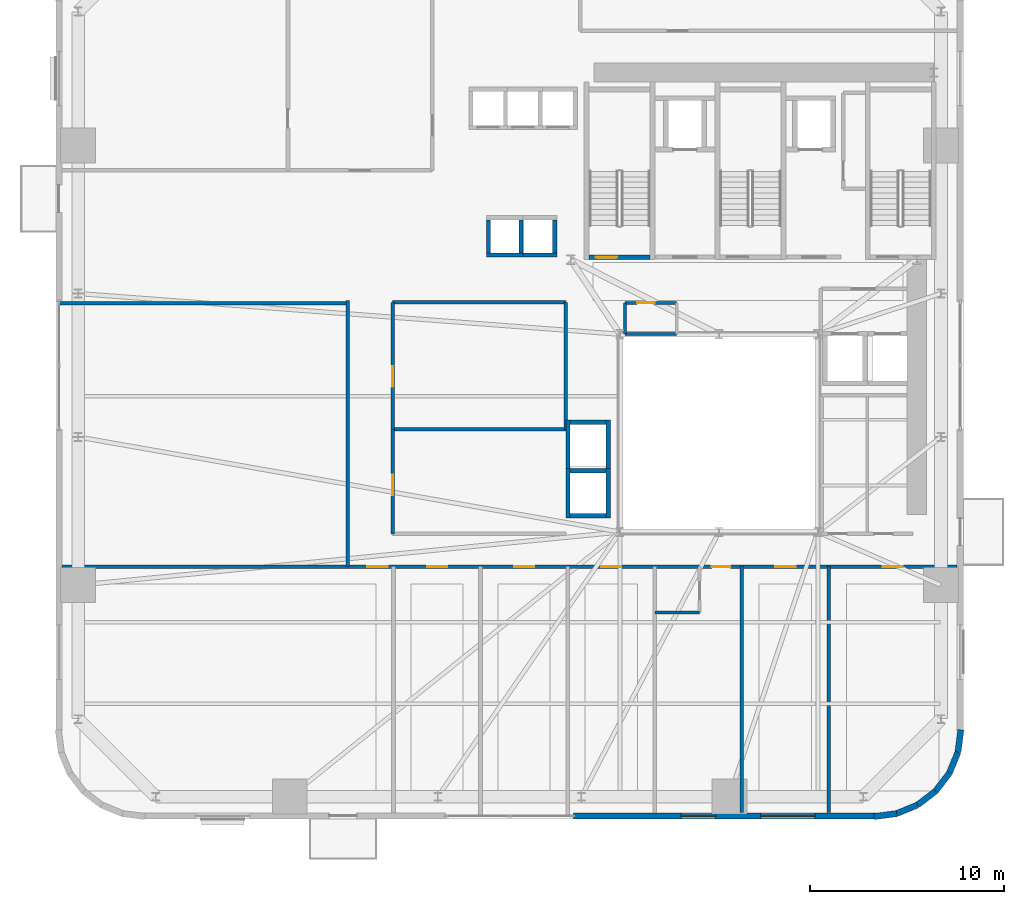
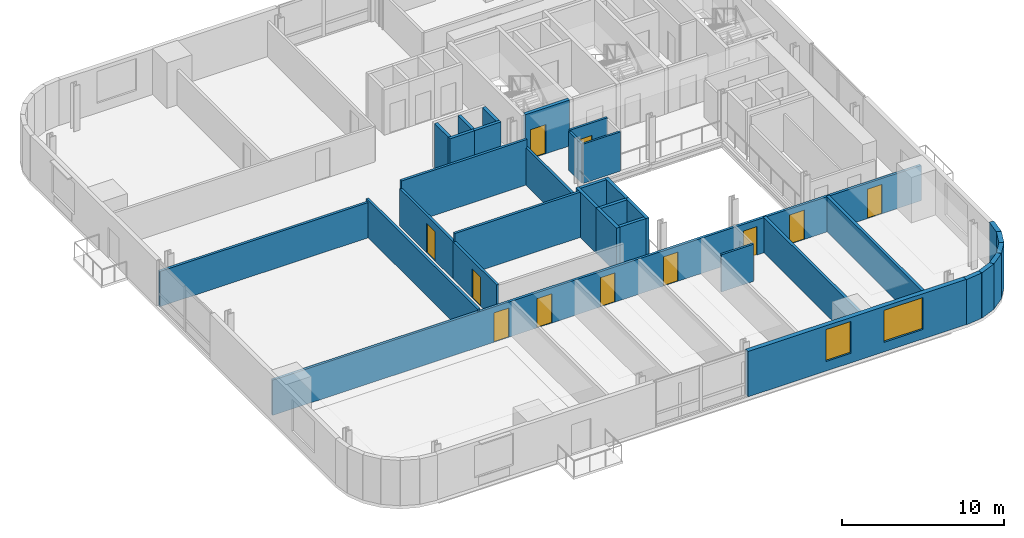
# One storey, part 6 of 13: 34 walls, 11 doors, 2 windows, 13 openings.
"""IFC4 building model written with IfcOpenShell, lengths in metres."""

from ifc_helpers import new_model, si_unit, direction, frame, frame_2d, origin, place, context, subcontext, project, spatial, rectangle, extrude, source, transform, mapped, material, layer, layer_set, type_object, element, fill, save


model = new_model("IFC4")

# Units and contexts
model_context = context("Model", 3, precision=1e-05, world=origin(), true_north=direction((0.0, 1.0)))
body_context = subcontext(model_context, "Body", "Model", "MODEL_VIEW")
ifc_project = project(units=[si_unit("LENGTHUNIT", "METRE"), si_unit("AREAUNIT", "SQUARE_METRE"), si_unit("VOLUMEUNIT", "CUBIC_METRE"), si_unit("PLANEANGLEUNIT", "RADIAN"), si_unit("MASSUNIT", "GRAM", prefix="KILO")], contexts=[model_context])

# Site, building, storey
site_placement = place(None, origin())
site = spatial("IfcSite", under=ifc_project, at=site_placement, CompositionType="ELEMENT")
building_placement = place(site_placement, origin())
building = spatial("IfcBuilding", under=site, at=building_placement, Name="Vardaveli Station Tower", CompositionType="ELEMENT")
storey_placement = place(building_placement, frame((0.0, 0.0, 86.0)))
storey = spatial("IfcBuildingStorey", under=building, at=storey_placement, Name="L22", CompositionType="ELEMENT", Elevation=86.0)

# Wall, openings, windows
ifc_material_1 = material(Name="Precast concrete C45/55", Category="concrete")
ifc_layer_1 = layer(ifc_material_1, 0.320068359375, Name="Precast concrete C45/55")
ifc_layer_set_1 = layer_set([ifc_layer_1], Name="Precast concrete C45/55")
wall_type_1 = type_object("IfcWallType", Name="WAL-EXT-STONE-320", PredefinedType="SOLIDWALL", material=ifc_layer_set_1)
shared_shape_1 = source(origin(), body_context, "Body", "SweptSolid", [
    extrude(rectangle(XDim=15.599853515625, YDim=0.320068359375, at=frame_2d((7.7998046875, 0.0))), origin(), (0.0, 0.0, 1.0), 3.409912109375),
])
wall_1_placement = place(storey_placement, frame((28.800048828125, 1.9599609375, 0.0), z_axis=(0.0, 0.0, 1.0), x_axis=(1.0, 0.0, 0.0)))
wall_1 = element("IfcWall", 1, at=wall_1_placement, inside=storey, type_object=wall_type_1, Name="EW-L22-S2", PredefinedType="SOLIDWALL", context=body_context, shape_type="MappedRepresentation", body=[
    mapped(shared_shape_1, transform((0.0, 0.0, 0.0), scale=1.0)),
])
shared_shape_2 = source(origin(), body_context, "Body", "SweptSolid", [
    extrude(rectangle(XDim=2.800048828125, YDim=2.39990234375, at=frame_2d((1.39990234375, 1.199951171875))), frame((0.0, 0.169921875, 0.0), z_axis=(0.0, -1.0, 0.0), x_axis=(1.0, 0.0, 0.0)), (0.0, 0.0, 1.0), 0.340087890625),
])
opening_1_placement = place(wall_1_placement, frame((9.64501953125, 0.0, 0.719970703125)))
opening_1 = element("IfcOpeningElement", 2, at=opening_1_placement, cuts=wall_1, Name="Opening W-04", PredefinedType="OPENING", context=body_context, shape_type="MappedRepresentation", body=[
    mapped(shared_shape_2, transform((0.0, 0.0, 0.0), scale=1.0)),
])
shared_shape_3 = source(origin(), body_context, "Body", "SweptSolid", [
    extrude(rectangle(XDim=1.800048828125, YDim=2.39990234375, at=frame_2d((0.89990234375, 1.199951171875))), frame((0.0, 0.169921875, 0.0), z_axis=(0.0, -1.0, 0.0), x_axis=(1.0, 0.0, 0.0)), (0.0, 0.0, 1.0), 0.340087890625),
])
opening_2_placement = place(wall_1_placement, frame((5.531005859375, 0.0, 0.719970703125)))
opening_2 = element("IfcOpeningElement", 3, at=opening_2_placement, cuts=wall_1, Name="Opening W-05", PredefinedType="OPENING", context=body_context, shape_type="MappedRepresentation", body=[
    mapped(shared_shape_3, transform((0.0, 0.0, 0.0), scale=1.0)),
])
ifc_material_2 = material(Name="Low-E solar-control glass", Category="glass")
window_type_1 = type_object("IfcWindowType", Name="WIN-SUITE-2800x2400", PartitioningType="SINGLE_PANEL", PredefinedType="WINDOW", material=ifc_material_2)
shared_shape_4 = source(origin(), body_context, "Body", "SweptSolid", [
    extrude(rectangle(XDim=2.800048828125, YDim=2.39990234375, at=frame_2d((1.39990234375, 1.199951171875))), frame((0.0, 0.030029296875, 0.0), z_axis=(0.0, -1.0, 0.0), x_axis=(1.0, 0.0, 0.0)), (0.0, 0.0, 1.0), 0.06005859375),
])
window_1_placement = place(opening_1_placement, origin())
window_1 = element("IfcWindow", 4, at=window_1_placement, inside=storey, type_object=window_type_1, Name="WN-L22-S2", OverallHeight=2.39990234375, OverallWidth=2.800048828125, PartitioningType="SINGLE_PANEL", PredefinedType="WINDOW", context=body_context, shape_type="MappedRepresentation", body=[
    mapped(shared_shape_4, transform((0.0, 0.0, 0.0), scale=1.0)),
])
fill(opening_1, window_1)
window_type_2 = type_object("IfcWindowType", Name="WIN-HIGH-1800x2400", PartitioningType="SINGLE_PANEL", PredefinedType="WINDOW", material=ifc_material_2)
shared_shape_5 = source(origin(), body_context, "Body", "SweptSolid", [
    extrude(rectangle(XDim=1.800048828125, YDim=2.39990234375, at=frame_2d((0.89990234375, 1.199951171875))), frame((0.0, 0.030029296875, 0.0), z_axis=(0.0, -1.0, 0.0), x_axis=(1.0, 0.0, 0.0)), (0.0, 0.0, 1.0), 0.06005859375),
])
window_2_placement = place(opening_2_placement, origin())
window_2 = element("IfcWindow", 5, at=window_2_placement, inside=storey, type_object=window_type_2, Name="WN-L22-GW1", OverallHeight=2.39990234375, OverallWidth=1.800048828125, PartitioningType="SINGLE_PANEL", PredefinedType="WINDOW", context=body_context, shape_type="MappedRepresentation", body=[
    mapped(shared_shape_5, transform((0.0, 0.0, 0.0), scale=1.0)),
])
fill(opening_2, window_2)

# Walls
shared_shape_6 = source(origin(), body_context, "Body", "SweptSolid", [
    extrude(rectangle(XDim=1.170654296875, YDim=0.320068359375, at=frame_2d((0.58544921875, 0.0))), origin(), (0.0, 0.0, 1.0), 3.409912109375),
])
wall_2_placement = place(storey_placement, frame((48.62548828125, 5.23974609375, 0.0), z_axis=(0.0, 0.0, 1.0), x_axis=(0.128269133229, 0.991739395941, 0.0)))
element("IfcWall", 6, at=wall_2_placement, inside=storey, type_object=wall_type_1, Name="EW-L22-CR2-6", PredefinedType="SOLIDWALL", context=body_context, shape_type="MappedRepresentation", body=[
    mapped(shared_shape_6, transform((0.0, 0.0, 0.0), scale=1.0)),
])
shared_shape_7 = source(origin(), body_context, "Body", "SweptSolid", [
    extrude(rectangle(XDim=1.1689453125, YDim=0.320068359375, at=frame_2d((0.58447265625, 0.0))), origin(), (0.0, 0.0, 1.0), 3.409912109375),
])
for number, where, z_axis, x_axis, name in (
    (7, (47.46875, 3.231201171875, 0.0), (0.0, 0.0, 1.0), (0.608387696831, 0.793639975269, 0.0), "EW-L22-CR2-4"),
    (8, (48.179931640625, 4.158935546875, 0.0), (0.0, 0.0, 1.0), (0.381127904695, 0.924522320046, 0.0), "EW-L22-CR2-5"),
):
    element("IfcWall", number, at=place(storey_placement, frame(where, z_axis=z_axis, x_axis=x_axis)), inside=storey, type_object=wall_type_1, Name=name, PredefinedType="SOLIDWALL", context=body_context, shape_type="MappedRepresentation", body=[
        mapped(shared_shape_7, transform((0.0, 0.0, 0.0), scale=1.0)),
    ])
shared_shape_8 = source(origin(), body_context, "Body", "SweptSolid", [
    extrude(rectangle(XDim=1.168701171875, YDim=0.320068359375, at=frame_2d((0.58447265625, 0.0))), origin(), (0.0, 0.0, 1.0), 3.409912109375),
])
wall_3_placement = place(storey_placement, frame((46.541259765625, 2.520263671875, 0.0), z_axis=(0.0, 0.0, 1.0), x_axis=(0.793663520347, 0.608356981114, 0.0)))
element("IfcWall", 9, at=wall_3_placement, inside=storey, type_object=wall_type_1, Name="EW-L22-CR2-3", PredefinedType="SOLIDWALL", context=body_context, shape_type="MappedRepresentation", body=[
    mapped(shared_shape_8, transform((0.0, 0.0, 0.0), scale=1.0)),
])
shared_shape_9 = source(origin(), body_context, "Body", "SweptSolid", [
    extrude(rectangle(XDim=1.16943359375, YDim=0.320068359375, at=frame_2d((0.584716796875, 0.0))), origin(), (0.0, 0.0, 1.0), 3.409912109375),
])
wall_4_placement = place(storey_placement, frame((45.460205078125, 2.074462890625, 0.0), z_axis=(0.0, 0.0, 1.0), x_axis=(0.924479075121, 0.381232789334, 0.0)))
element("IfcWall", 10, at=wall_4_placement, inside=storey, type_object=wall_type_1, Name="EW-L22-CR2-2", PredefinedType="SOLIDWALL", context=body_context, shape_type="MappedRepresentation", body=[
    mapped(shared_shape_9, transform((0.0, 0.0, 0.0), scale=1.0)),
])
shared_shape_10 = source(origin(), body_context, "Body", "SweptSolid", [
    extrude(rectangle(XDim=1.170166015625, YDim=0.320068359375, at=frame_2d((0.5849609375, 0.0))), origin(), (0.0, 0.0, 1.0), 3.409912109375),
])
wall_5_placement = place(storey_placement, frame((44.299560546875, 1.924560546875, 0.0), z_axis=(0.0, 0.0, 1.0), x_axis=(0.991762485493, 0.128090485085, 0.0)))
element("IfcWall", 11, at=wall_5_placement, inside=storey, type_object=wall_type_1, Name="EW-L22-CR2-1", PredefinedType="SOLIDWALL", context=body_context, shape_type="MappedRepresentation", body=[
    mapped(shared_shape_10, transform((0.0, 0.0, 0.0), scale=1.0)),
])

# Wall, opening, door
ifc_material_3 = material(Name="Concrete C40/50", Category="concrete")
ifc_layer_2 = layer(ifc_material_3, 0.25, Name="Concrete C40/50")
ifc_layer_set_2 = layer_set([ifc_layer_2], Name="Concrete C40/50")
wall_type_2 = type_object("IfcWallType", Name="WAL-SHAFT-250", PredefinedType="SOLIDWALL", material=ifc_layer_set_2)
shared_shape_11 = source(origin(), body_context, "Body", "SweptSolid", [
    extrude(rectangle(XDim=3.14990234375, YDim=0.25, at=frame_2d((1.574951171875, 0.0))), origin(), (0.0, 0.0, 1.0), 3.449951171875),
])
wall_6_placement = place(storey_placement, frame((29.60009765625, 30.77490234375, 0.0), z_axis=(0.0, 0.0, 1.0), x_axis=(1.0, 0.0, 0.0)))
wall_6 = element("IfcWall", 12, at=wall_6_placement, inside=storey, type_object=wall_type_2, Name="W-L22-ST-1S", PredefinedType="SOLIDWALL", context=body_context, shape_type="MappedRepresentation", body=[
    mapped(shared_shape_11, transform((0.0, 0.0, 0.0), scale=1.0)),
])
shared_shape_12 = source(origin(), body_context, "Body", "SweptSolid", [
    extrude(rectangle(XDim=1.10009765625, YDim=2.199951171875, at=frame_2d((0.550048828125, 1.10009765625))), frame((0.0, 0.135009765625, 0.0), z_axis=(0.0, -1.0, 0.0), x_axis=(1.0, 0.0, 0.0)), (0.0, 0.0, 1.0), 0.27001953125),
])
opening_3_placement = place(wall_6_placement, frame((0.35009765625, 0.0, 0.0)))
opening_3 = element("IfcOpeningElement", 13, at=opening_3_placement, cuts=wall_6, Name="Opening D-04", PredefinedType="OPENING", context=body_context, shape_type="MappedRepresentation", body=[
    mapped(shared_shape_12, transform((0.0, 0.0, 0.0), scale=1.0)),
])
ifc_material_4 = material(Name="Steel smokeproof fire doorset", Category="steel")
door_type_1 = type_object("IfcDoorType", Name="DR-ST-1100x2200", OperationType="NOTDEFINED", PredefinedType="DOOR", material=ifc_material_4)
shared_shape_13 = source(origin(), body_context, "Body", "SweptSolid", [
    extrude(rectangle(XDim=1.10009765625, YDim=2.199951171875, at=frame_2d((0.550048828125, 1.10009765625))), frame((0.0, 0.02490234375, 0.0), z_axis=(0.0, -1.0, 0.0), x_axis=(1.0, 0.0, 0.0)), (0.0, 0.0, 1.0), 0.050048828125),
])
door_1_placement = place(opening_3_placement, origin())
door_1 = element("IfcDoor", 14, at=door_1_placement, inside=storey, type_object=door_type_1, Name="DST-1-L22", OperationType="SINGLE_SWING_LEFT", OverallHeight=2.199951171875, OverallWidth=1.10009765625, PredefinedType="DOOR", context=body_context, shape_type="MappedRepresentation", body=[
    mapped(shared_shape_13, transform((0.0, 0.0, 0.0), scale=1.0)),
])
fill(opening_3, door_1)

# Walls
ifc_layer_3 = layer(ifc_material_3, 0.219970703125, Name="Concrete C40/50")
ifc_layer_set_3 = layer_set([ifc_layer_3], Name="Concrete C40/50")
wall_type_3 = type_object("IfcWallType", Name="WAL-FFLOBBY-220", PredefinedType="SOLIDWALL", material=ifc_layer_set_3)
shared_shape_14 = source(origin(), body_context, "Body", "SweptSolid", [
    extrude(rectangle(XDim=1.89013671875, YDim=0.219970703125, at=frame_2d((0.945068359375, 0.0))), origin(), (0.0, 0.0, 1.0), 3.409912109375),
])
for number, where, z_axis, x_axis, name in (
    (15, (24.304931640625, 30.889892578125, 0.0), (0.0, 0.0, 1.0), (1.0, 0.0, 0.0), "SHW-SHU-01-L22-S"),
    (16, (26.054931640625, 30.889892578125, 0.0), (0.0, 0.0, 1.0), (1.0, 0.0, 0.0), "SHW-SHU-02-L22-S"),
):
    element("IfcWall", number, at=place(storey_placement, frame(where, z_axis=z_axis, x_axis=x_axis)), inside=storey, type_object=wall_type_3, Name=name, PredefinedType="SOLIDWALL", context=body_context, shape_type="MappedRepresentation", body=[
        mapped(shared_shape_14, transform((0.0, 0.0, 0.0), scale=1.0)),
    ])
shared_shape_15 = source(origin(), body_context, "Body", "SweptSolid", [
    extrude(rectangle(XDim=1.699951171875, YDim=0.219970703125, at=frame_2d((0.85009765625, 0.0))), origin(), (0.0, 0.0, 1.0), 3.409912109375),
])
for number, where, z_axis, x_axis, name in (
    (17, (24.4150390625, 31.0, 0.0), (0.0, 0.0, 1.0), (0.0, 1.0, 0.0), "SHW-SHU-01-L22-W"),
    (18, (26.0849609375, 31.0, 0.0), (0.0, 0.0, 1.0), (0.0, 1.0, 0.0), "SHW-SHU-01-L22-E"),
    (19, (27.8349609375, 31.0, 0.0), (0.0, 0.0, 1.0), (0.0, 1.0, 0.0), "SHW-SHU-02-L22-E"),
):
    element("IfcWall", number, at=place(storey_placement, frame(where, z_axis=z_axis, x_axis=x_axis)), inside=storey, type_object=wall_type_3, Name=name, PredefinedType="SOLIDWALL", context=body_context, shape_type="MappedRepresentation", body=[
        mapped(shared_shape_15, transform((0.0, 0.0, 0.0), scale=1.0)),
    ])
shared_shape_16 = source(origin(), body_context, "Body", "SweptSolid", [
    extrude(rectangle(XDim=1.85009765625, YDim=0.219970703125, at=frame_2d((0.925048828125, 0.0))), origin(), (0.0, 0.0, 1.0), 3.409912109375),
])
for number, where, z_axis, x_axis, name in (
    (20, (28.625, 17.43994140625, 0.0), (0.0, 0.0, 1.0), (1.0, 0.0, 0.0), "SHW-OBS-01-L22-S"),
    (21, (28.625, 19.760009765625, 0.0), (0.0, 0.0, 1.0), (1.0, 0.0, 0.0), "SHW-OBS-01-L22-N"),
    (22, (28.625, 22.260009765625, 0.0), (0.0, 0.0, 1.0), (1.0, 0.0, 0.0), "SHW-OBS-02-L22-N"),
):
    element("IfcWall", number, at=place(storey_placement, frame(where, z_axis=z_axis, x_axis=x_axis)), inside=storey, type_object=wall_type_3, Name=name, PredefinedType="SOLIDWALL", context=body_context, shape_type="MappedRepresentation", body=[
        mapped(shared_shape_16, transform((0.0, 0.0, 0.0), scale=1.0)),
    ])
shared_shape_17 = source(origin(), body_context, "Body", "SweptSolid", [
    extrude(rectangle(XDim=2.5400390625, YDim=0.219970703125, at=frame_2d((1.27001953125, 0.0))), origin(), (0.0, 0.0, 1.0), 3.409912109375),
])
for number, where, z_axis, x_axis, name in (
    (23, (28.514892578125, 17.330078125, 0.0), (0.0, 0.0, 1.0), (0.0, 1.0, 0.0), "SHW-OBS-01-L22-W"),
    (24, (30.5849609375, 17.330078125, 0.0), (0.0, 0.0, 1.0), (0.0, 1.0, 0.0), "SHW-OBS-01-L22-E"),
    (25, (28.514892578125, 19.830078125, 0.0), (0.0, 0.0, 1.0), (0.0, 1.0, 0.0), "SHW-OBS-02-L22-W"),
    (26, (30.5849609375, 19.830078125, 0.0), (0.0, 0.0, 1.0), (0.0, 1.0, 0.0), "SHW-OBS-02-L22-E"),
):
    element("IfcWall", number, at=place(storey_placement, frame(where, z_axis=z_axis, x_axis=x_axis)), inside=storey, type_object=wall_type_3, Name=name, PredefinedType="SOLIDWALL", context=body_context, shape_type="MappedRepresentation", body=[
        mapped(shared_shape_17, transform((0.0, 0.0, 0.0), scale=1.0)),
    ])
ifc_material_5 = material(Name="Moisture-resistant stud partition")
ifc_layer_4 = layer(ifc_material_5, 0.14990234375, Name="Moisture-resistant stud partition")
ifc_layer_set_4 = layer_set([ifc_layer_4], Name="Moisture-resistant stud partition")
wall_type_4 = type_object("IfcWallType", Name="WAL-WET-150", PredefinedType="PARTITIONING", material=ifc_layer_set_4)
shared_shape_18 = source(origin(), body_context, "Body", "SweptSolid", [
    extrude(rectangle(XDim=2.2900390625, YDim=0.14990234375, at=frame_2d((1.14501953125, 0.0))), origin(), (0.0, 0.0, 1.0), 2.802001953125),
])
wall_7_placement = place(storey_placement, frame((33.007080078125, 12.449951171875, 0.0), z_axis=(0.0, 0.0, 1.0), x_axis=(1.0, 0.0, 0.0)))
element("IfcWall", 27, at=wall_7_placement, inside=storey, type_object=wall_type_4, Name="W-L22-BS5-S", PredefinedType="PARTITIONING", context=body_context, shape_type="MappedRepresentation", body=[
    mapped(shared_shape_18, transform((0.0, 0.0, 0.0), scale=1.0)),
])

# Wall, openings, doors
ifc_material_6 = material(Name="Fire-rated gypsum stud partition")
ifc_layer_5 = layer(ifc_material_6, 0.179931640625, Name="Fire-rated gypsum stud partition")
ifc_layer_set_5 = layer_set([ifc_layer_5], Name="Fire-rated gypsum stud partition")
wall_type_5 = type_object("IfcWallType", Name="WAL-CORR-180", PredefinedType="PARTITIONING", material=ifc_layer_set_5)
shared_shape_19 = source(origin(), body_context, "Body", "SweptSolid", [
    extrude(rectangle(XDim=46.15576171875, YDim=0.179931640625, at=frame_2d((23.077880859375, 0.0))), origin(), (0.0, 0.0, 1.0), 2.652099609375),
])
wall_8_placement = place(storey_placement, frame((2.422119140625, 14.81005859375, 0.0), z_axis=(0.0, 0.0, 1.0), x_axis=(1.0, 0.0, 0.0)))
wall_8 = element("IfcWall", 28, at=wall_8_placement, inside=storey, type_object=wall_type_5, Name="W-L22-CS", PredefinedType="PARTITIONING", context=body_context, shape_type="MappedRepresentation", body=[
    mapped(shared_shape_19, transform((0.0, 0.0, 0.0), scale=1.0)),
])
shared_shape_20 = source(origin(), body_context, "Body", "SweptSolid", [
    extrude(rectangle(XDim=1.050048828125, YDim=2.199951171875, at=frame_2d((0.52490234375, 1.10009765625))), frame((0.0, 0.10009765625, 0.0), z_axis=(0.0, -1.0, 0.0), x_axis=(1.0, 0.0, 0.0)), (0.0, 0.0, 1.0), 0.199951171875),
])
opening_4_placement = place(wall_8_placement, frame((15.748046875, 0.0, 0.0)))
opening_4 = element("IfcOpeningElement", 29, at=opening_4_placement, cuts=wall_8, Name="Opening D-05", PredefinedType="OPENING", context=body_context, shape_type="MappedRepresentation", body=[
    mapped(shared_shape_20, transform((0.0, 0.0, 0.0), scale=1.0)),
])
opening_5_placement = place(wall_8_placement, frame((18.822509765625, 0.0, 0.0)))
opening_5 = element("IfcOpeningElement", 30, at=opening_5_placement, cuts=wall_8, Name="Opening D-05", PredefinedType="OPENING", context=body_context, shape_type="MappedRepresentation", body=[
    mapped(shared_shape_20, transform((0.0, 0.0, 0.0), scale=1.0)),
])
opening_6_placement = place(wall_8_placement, frame((23.311279296875, 0.0, 0.0)))
opening_6 = element("IfcOpeningElement", 31, at=opening_6_placement, cuts=wall_8, Name="Opening D-05", PredefinedType="OPENING", context=body_context, shape_type="MappedRepresentation", body=[
    mapped(shared_shape_20, transform((0.0, 0.0, 0.0), scale=1.0)),
])
opening_7_placement = place(wall_8_placement, frame((27.800048828125, 0.0, 0.0)))
opening_7 = element("IfcOpeningElement", 32, at=opening_7_placement, cuts=wall_8, Name="Opening D-05", PredefinedType="OPENING", context=body_context, shape_type="MappedRepresentation", body=[
    mapped(shared_shape_20, transform((0.0, 0.0, 0.0), scale=1.0)),
])
shared_shape_21 = source(origin(), body_context, "Body", "SweptSolid", [
    extrude(rectangle(XDim=0.949951171875, YDim=2.14990234375, at=frame_2d((0.47509765625, 1.074951171875))), frame((0.0, 0.10009765625, 0.0), z_axis=(0.0, -1.0, 0.0), x_axis=(1.0, 0.0, 0.0)), (0.0, 0.0, 1.0), 0.199951171875),
])
opening_8_placement = place(wall_8_placement, frame((33.513916015625, 0.0, 0.0)))
opening_8 = element("IfcOpeningElement", 33, at=opening_8_placement, cuts=wall_8, Name="Opening D-06", PredefinedType="OPENING", context=body_context, shape_type="MappedRepresentation", body=[
    mapped(shared_shape_21, transform((0.0, 0.0, 0.0), scale=1.0)),
])
opening_9_placement = place(wall_8_placement, frame((36.77783203125, 0.0, 0.0)))
opening_9 = element("IfcOpeningElement", 34, at=opening_9_placement, cuts=wall_8, Name="Opening D-05", PredefinedType="OPENING", context=body_context, shape_type="MappedRepresentation", body=[
    mapped(shared_shape_20, transform((0.0, 0.0, 0.0), scale=1.0)),
])
opening_10_placement = place(wall_8_placement, frame((42.315185546875, 0.0, 0.0)))
opening_10 = element("IfcOpeningElement", 35, at=opening_10_placement, cuts=wall_8, Name="Opening D-05", PredefinedType="OPENING", context=body_context, shape_type="MappedRepresentation", body=[
    mapped(shared_shape_20, transform((0.0, 0.0, 0.0), scale=1.0)),
])
ifc_material_7 = material(Name="Walnut veneer acoustic fire door")
door_type_2 = type_object("IfcDoorType", Name="DR-SUITE-1050x2200", OperationType="NOTDEFINED", PredefinedType="DOOR", material=ifc_material_7)
shared_shape_22 = source(origin(), body_context, "Body", "SweptSolid", [
    extrude(rectangle(XDim=1.050048828125, YDim=2.199951171875, at=frame_2d((0.52490234375, 1.10009765625))), frame((0.0, 0.02490234375, 0.0), z_axis=(0.0, -1.0, 0.0), x_axis=(1.0, 0.0, 0.0)), (0.0, 0.0, 1.0), 0.050048828125),
])
door_2_placement = place(opening_4_placement, origin())
door_2 = element("IfcDoor", 36, at=door_2_placement, inside=storey, type_object=door_type_2, Name="D-L22-SA1", OperationType="SINGLE_SWING_RIGHT", OverallHeight=2.199951171875, OverallWidth=1.050048828125, PredefinedType="DOOR", context=body_context, shape_type="MappedRepresentation", body=[
    mapped(shared_shape_22, transform((0.0, 0.0, 0.0), scale=1.0)),
])
fill(opening_4, door_2)
door_3_placement = place(opening_5_placement, origin())
door_3 = element("IfcDoor", 37, at=door_3_placement, inside=storey, type_object=door_type_2, Name="D-L22-SA2", OperationType="SINGLE_SWING_LEFT", OverallHeight=2.199951171875, OverallWidth=1.050048828125, PredefinedType="DOOR", context=body_context, shape_type="MappedRepresentation", body=[
    mapped(shared_shape_22, transform((0.0, 0.0, 0.0), scale=1.0)),
])
fill(opening_5, door_3)
door_4_placement = place(opening_6_placement, origin())
door_4 = element("IfcDoor", 38, at=door_4_placement, inside=storey, type_object=door_type_2, Name="D-L22-SA3", OperationType="SINGLE_SWING_RIGHT", OverallHeight=2.199951171875, OverallWidth=1.050048828125, PredefinedType="DOOR", context=body_context, shape_type="MappedRepresentation", body=[
    mapped(shared_shape_22, transform((0.0, 0.0, 0.0), scale=1.0)),
])
fill(opening_6, door_4)
door_5_placement = place(opening_7_placement, origin())
door_5 = element("IfcDoor", 39, at=door_5_placement, inside=storey, type_object=door_type_2, Name="D-L22-SA4", OperationType="SINGLE_SWING_LEFT", OverallHeight=2.199951171875, OverallWidth=1.050048828125, PredefinedType="DOOR", context=body_context, shape_type="MappedRepresentation", body=[
    mapped(shared_shape_22, transform((0.0, 0.0, 0.0), scale=1.0)),
])
fill(opening_7, door_5)
door_6_placement = place(opening_9_placement, origin())
door_6 = element("IfcDoor", 40, at=door_6_placement, inside=storey, type_object=door_type_2, Name="D-L22-SA6", OperationType="SINGLE_SWING_LEFT", OverallHeight=2.199951171875, OverallWidth=1.050048828125, PredefinedType="DOOR", context=body_context, shape_type="MappedRepresentation", body=[
    mapped(shared_shape_22, transform((0.0, 0.0, 0.0), scale=1.0)),
])
fill(opening_9, door_6)
door_7_placement = place(opening_10_placement, origin())
door_7 = element("IfcDoor", 41, at=door_7_placement, inside=storey, type_object=door_type_2, Name="D-L22-SA7", OperationType="SINGLE_SWING_RIGHT", OverallHeight=2.199951171875, OverallWidth=1.050048828125, PredefinedType="DOOR", context=body_context, shape_type="MappedRepresentation", body=[
    mapped(shared_shape_22, transform((0.0, 0.0, 0.0), scale=1.0)),
])
fill(opening_10, door_7)
ifc_material_8 = material(Name="Oak veneer acoustic fire door")
door_type_3 = type_object("IfcDoorType", Name="DR-GUEST-950x2150", OperationType="NOTDEFINED", PredefinedType="DOOR", material=ifc_material_8)
shared_shape_23 = source(origin(), body_context, "Body", "SweptSolid", [
    extrude(rectangle(XDim=0.949951171875, YDim=2.14990234375, at=frame_2d((0.47509765625, 1.074951171875))), frame((0.0, 0.02490234375, 0.0), z_axis=(0.0, -1.0, 0.0), x_axis=(1.0, 0.0, 0.0)), (0.0, 0.0, 1.0), 0.050048828125),
])
door_8_placement = place(opening_8_placement, origin())
door_8 = element("IfcDoor", 42, at=door_8_placement, inside=storey, type_object=door_type_3, Name="D-L22-GS5", OperationType="SINGLE_SWING_RIGHT", OverallHeight=2.14990234375, OverallWidth=0.949951171875, PredefinedType="DOOR", context=body_context, shape_type="MappedRepresentation", body=[
    mapped(shared_shape_23, transform((0.0, 0.0, 0.0), scale=1.0)),
])
fill(opening_8, door_8)

# Wall, opening, door
shared_shape_24 = source(origin(), body_context, "Body", "SweptSolid", [
    extrude(rectangle(XDim=6.5400390625, YDim=0.179931640625, at=frame_2d((3.27001953125, 0.0))), origin(), (0.0, 0.0, 1.0), 2.802001953125),
])
wall_9_placement = place(storey_placement, frame((19.469970703125, 21.89990234375, 0.0), z_axis=(0.0, 0.0, 1.0), x_axis=(0.0, 1.0, 0.0)))
wall_9 = element("IfcWall", 43, at=wall_9_placement, inside=storey, type_object=wall_type_5, Name="W-L22-ATW2-W", PredefinedType="PARTITIONING", context=body_context, shape_type="MappedRepresentation", body=[
    mapped(shared_shape_24, transform((0.0, 0.0, 0.0), scale=1.0)),
])
opening_11_placement = place(wall_9_placement, frame((2.199951171875, 0.0, 0.0)))
opening_11 = element("IfcOpeningElement", 44, at=opening_11_placement, cuts=wall_9, Name="Opening D-05", PredefinedType="OPENING", context=body_context, shape_type="MappedRepresentation", body=[
    mapped(shared_shape_20, transform((0.0, 0.0, 0.0), scale=1.0)),
])
door_9_placement = place(opening_11_placement, origin())
door_9 = element("IfcDoor", 45, at=door_9_placement, inside=storey, type_object=door_type_2, Name="D-L22-ATW2", OperationType="SINGLE_SWING_LEFT", OverallHeight=2.199951171875, OverallWidth=1.050048828125, PredefinedType="DOOR", context=body_context, shape_type="MappedRepresentation", body=[
    mapped(shared_shape_22, transform((0.0, 0.0, 0.0), scale=1.0)),
])
fill(opening_11, door_9)

# Wall
wall_10_placement = place(storey_placement, frame((28.39990234375, 21.89990234375, 0.0), z_axis=(0.0, 0.0, 1.0), x_axis=(0.0, 1.0, 0.0)))
element("IfcWall", 46, at=wall_10_placement, inside=storey, type_object=wall_type_5, Name="W-L22-ATW2-E", PredefinedType="PARTITIONING", context=body_context, shape_type="MappedRepresentation", body=[
    mapped(shared_shape_24, transform((0.0, 0.0, 0.0), scale=1.0)),
])

# Wall, opening, door
shared_shape_25 = source(origin(), body_context, "Body", "SweptSolid", [
    extrude(rectangle(XDim=5.39990234375, YDim=0.179931640625, at=frame_2d((2.699951171875, 0.0))), origin(), (0.0, 0.0, 1.0), 2.802001953125),
])
wall_11_placement = place(storey_placement, frame((19.469970703125, 16.5, 0.0), z_axis=(0.0, 0.0, 1.0), x_axis=(0.0, 1.0, 0.0)))
wall_11 = element("IfcWall", 47, at=wall_11_placement, inside=storey, type_object=wall_type_5, Name="W-L22-ATW1-W", PredefinedType="PARTITIONING", context=body_context, shape_type="MappedRepresentation", body=[
    mapped(shared_shape_25, transform((0.0, 0.0, 0.0), scale=1.0)),
])
opening_12_placement = place(wall_11_placement, frame((2.0, 0.0, 0.0)))
opening_12 = element("IfcOpeningElement", 48, at=opening_12_placement, cuts=wall_11, Name="Opening D-05", PredefinedType="OPENING", context=body_context, shape_type="MappedRepresentation", body=[
    mapped(shared_shape_20, transform((0.0, 0.0, 0.0), scale=1.0)),
])
door_10_placement = place(opening_12_placement, origin())
door_10 = element("IfcDoor", 49, at=door_10_placement, inside=storey, type_object=door_type_2, Name="D-L22-ATW1", OperationType="SINGLE_SWING_RIGHT", OverallHeight=2.199951171875, OverallWidth=1.050048828125, PredefinedType="DOOR", context=body_context, shape_type="MappedRepresentation", body=[
    mapped(shared_shape_22, transform((0.0, 0.0, 0.0), scale=1.0)),
])
fill(opening_12, door_10)

shared_shape_26 = source(origin(), body_context, "Body", "SweptSolid", [
    extrude(rectangle(XDim=2.670166015625, YDim=0.14990234375, at=frame_2d((1.3349609375, 0.0))), origin(), (0.0, 0.0, 1.0), 3.0419921875),
])
wall_12_placement = place(storey_placement, frame((31.449951171875, 28.419921875, 0.0), z_axis=(0.0, 0.0, 1.0), x_axis=(1.0, 0.0, 0.0)))
wall_12 = element("IfcWall", 50, at=wall_12_placement, inside=storey, type_object=wall_type_4, Name="W-L22-WCA1-N", PredefinedType="PARTITIONING", context=body_context, shape_type="MappedRepresentation", body=[
    mapped(shared_shape_26, transform((0.0, 0.0, 0.0), scale=1.0)),
])
shared_shape_27 = source(origin(), body_context, "Body", "SweptSolid", [
    extrude(rectangle(XDim=0.919921875, YDim=2.10009765625, at=frame_2d((0.4599609375, 1.050048828125))), frame((0.0, 0.0849609375, 0.0), z_axis=(0.0, -1.0, 0.0), x_axis=(1.0, 0.0, 0.0)), (0.0, 0.0, 1.0), 0.169921875),
])
opening_13_placement = place(wall_12_placement, frame((0.6298828125, 0.0, 0.0)))
opening_13 = element("IfcOpeningElement", 51, at=opening_13_placement, cuts=wall_12, Name="Opening D-07", PredefinedType="OPENING", context=body_context, shape_type="MappedRepresentation", body=[
    mapped(shared_shape_27, transform((0.0, 0.0, 0.0), scale=1.0)),
])
ifc_material_9 = material(Name="Moisture-resistant hardwood door", Category="wood")
door_type_4 = type_object("IfcDoorType", Name="DR-WC-920x2100", OperationType="NOTDEFINED", PredefinedType="DOOR", material=ifc_material_9)
shared_shape_28 = source(origin(), body_context, "Body", "SweptSolid", [
    extrude(rectangle(XDim=0.919921875, YDim=2.10009765625, at=frame_2d((0.4599609375, 1.050048828125))), frame((0.0, 0.02490234375, 0.0), z_axis=(0.0, -1.0, 0.0), x_axis=(1.0, 0.0, 0.0)), (0.0, 0.0, 1.0), 0.050048828125),
])
door_11_placement = place(opening_13_placement, origin())
door_11 = element("IfcDoor", 52, at=door_11_placement, inside=storey, type_object=door_type_4, Name="D-L22-WCA", OperationType="SINGLE_SWING_LEFT", OverallHeight=2.10009765625, OverallWidth=0.919921875, PredefinedType="DOOR", context=body_context, shape_type="MappedRepresentation", body=[
    mapped(shared_shape_28, transform((0.0, 0.0, 0.0), scale=1.0)),
])
fill(opening_13, door_11)

# Walls
shared_shape_29 = source(origin(), body_context, "Body", "SweptSolid", [
    extrude(rectangle(XDim=2.670166015625, YDim=0.14990234375, at=frame_2d((1.3349609375, 0.0))), origin(), (0.0, 0.0, 1.0), 2.951904296875),
])
wall_13_placement = place(storey_placement, frame((31.449951171875, 26.820068359375, 0.0), z_axis=(0.0, 0.0, 1.0), x_axis=(1.0, 0.0, 0.0)))
element("IfcWall", 53, at=wall_13_placement, inside=storey, type_object=wall_type_4, Name="W-L22-WCA1-S", PredefinedType="PARTITIONING", context=body_context, shape_type="MappedRepresentation", body=[
    mapped(shared_shape_29, transform((0.0, 0.0, 0.0), scale=1.0)),
])
shared_shape_30 = source(origin(), body_context, "Body", "SweptSolid", [
    extrude(rectangle(XDim=1.599853515625, YDim=0.14990234375, at=frame_2d((0.7998046875, 0.0))), origin(), (0.0, 0.0, 1.0), 2.951904296875),
])
wall_14_placement = place(storey_placement, frame((31.449951171875, 26.820068359375, 0.0), z_axis=(0.0, 0.0, 1.0), x_axis=(0.0, 1.0, 0.0)))
element("IfcWall", 54, at=wall_14_placement, inside=storey, type_object=wall_type_4, Name="W-L22-WCA1-W", PredefinedType="PARTITIONING", context=body_context, shape_type="MappedRepresentation", body=[
    mapped(shared_shape_30, transform((0.0, 0.0, 0.0), scale=1.0)),
])
shared_shape_31 = source(origin(), body_context, "Body", "SweptSolid", [
    extrude(rectangle(XDim=13.739990234375, YDim=0.179931640625, at=frame_2d((6.8701171875, 0.0))), origin(), (0.0, 0.0, 1.0), 2.802001953125),
])
wall_15_placement = place(storey_placement, frame((17.14990234375, 14.81005859375, 0.0), z_axis=(0.0, 0.0, 1.0), x_axis=(0.0, 1.0, 0.0)))
element("IfcWall", 55, at=wall_15_placement, inside=storey, type_object=wall_type_5, Name="W-L22-CW", PredefinedType="PARTITIONING", context=body_context, shape_type="MappedRepresentation", body=[
    mapped(shared_shape_31, transform((0.0, 0.0, 0.0), scale=1.0)),
])
shared_shape_32 = source(origin(), body_context, "Body", "SweptSolid", [
    extrude(rectangle(XDim=8.929931640625, YDim=0.179931640625, at=frame_2d((4.46484375, 0.0))), origin(), (0.0, 0.0, 1.0), 3.409912109375),
])
for number, where, z_axis, x_axis, name in (
    (56, (19.469970703125, 21.89990234375, 0.0), (0.0, 0.0, 1.0), (1.0, 0.0, 0.0), "W-L22-ATW1-N"),
    (57, (19.469970703125, 28.43994140625, 0.0), (0.0, 0.0, 1.0), (1.0, 0.0, 0.0), "W-L22-ATW2-N"),
):
    element("IfcWall", number, at=place(storey_placement, frame(where, z_axis=z_axis, x_axis=x_axis)), inside=storey, type_object=wall_type_5, Name=name, PredefinedType="PARTITIONING", context=body_context, shape_type="MappedRepresentation", body=[
        mapped(shared_shape_32, transform((0.0, 0.0, 0.0), scale=1.0)),
    ])
shared_shape_33 = source(origin(), body_context, "Body", "SweptSolid", [
    extrude(rectangle(XDim=14.919921875, YDim=0.179931640625, at=frame_2d((7.4599609375, 0.0))), origin(), (0.0, 0.0, 1.0), 2.652099609375),
])
wall_16_placement = place(storey_placement, frame((2.22998046875, 28.39990234375, 0.0), z_axis=(0.0, 0.0, 1.0), x_axis=(1.0, 0.0, 0.0)))
element("IfcWall", 58, at=wall_16_placement, inside=storey, type_object=wall_type_5, Name="W-L22-CWN", PredefinedType="PARTITIONING", context=body_context, shape_type="MappedRepresentation", body=[
    mapped(shared_shape_33, transform((0.0, 0.0, 0.0), scale=1.0)),
])
ifc_material_10 = material(Name="Acoustic twin-stud gypsum partition")
ifc_layer_6 = layer(ifc_material_10, 0.199951171875, Name="Acoustic twin-stud gypsum partition")
ifc_layer_set_6 = layer_set([ifc_layer_6], Name="Acoustic twin-stud gypsum partition")
wall_type_6 = type_object("IfcWallType", Name="WAL-PARTY-200", PredefinedType="PARTITIONING", material=ifc_layer_set_6)
shared_shape_34 = source(origin(), body_context, "Body", "SweptSolid", [
    extrude(rectangle(XDim=12.68798828125, YDim=0.199951171875, at=frame_2d((6.343994140625, 0.0))), origin(), (0.0, 0.0, 1.0), 2.652099609375),
])
for number, where, z_axis, x_axis, name in (
    (59, (37.47509765625, 2.1220703125, 0.0), (0.0, 0.0, 1.0), (0.0, 1.0, 0.0), "W-L22-PS5"),
    (60, (41.964111328125, 2.1220703125, 0.0), (0.0, 0.0, 1.0), (0.0, 1.0, 0.0), "W-L22-PS6"),
):
    element("IfcWall", number, at=place(storey_placement, frame(where, z_axis=z_axis, x_axis=x_axis)), inside=storey, type_object=wall_type_6, Name=name, PredefinedType="PARTITIONING", context=body_context, shape_type="MappedRepresentation", body=[
        mapped(shared_shape_34, transform((0.0, 0.0, 0.0), scale=1.0)),
    ])

save(model, "model.ifc")
